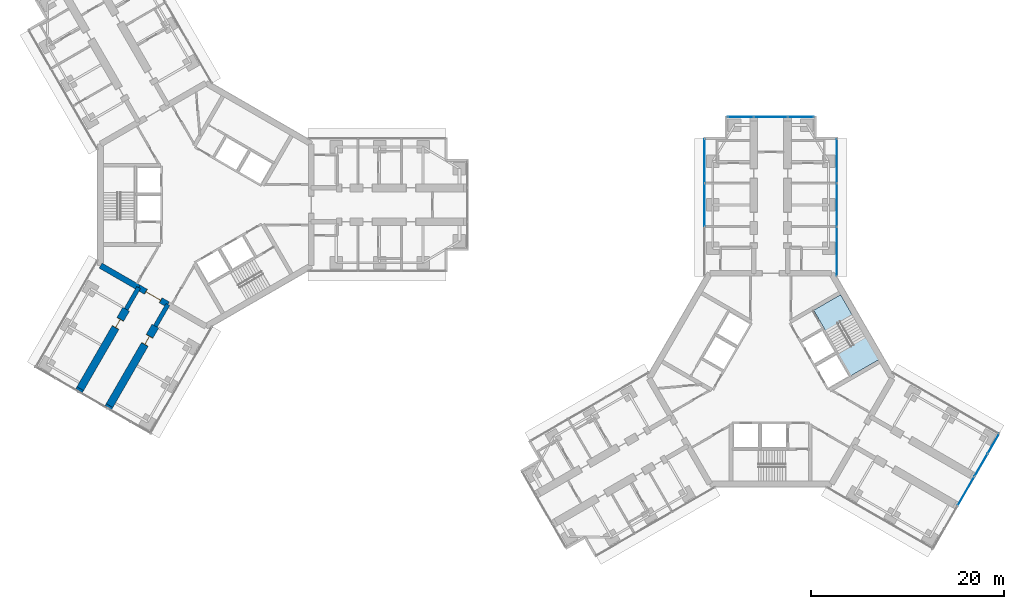
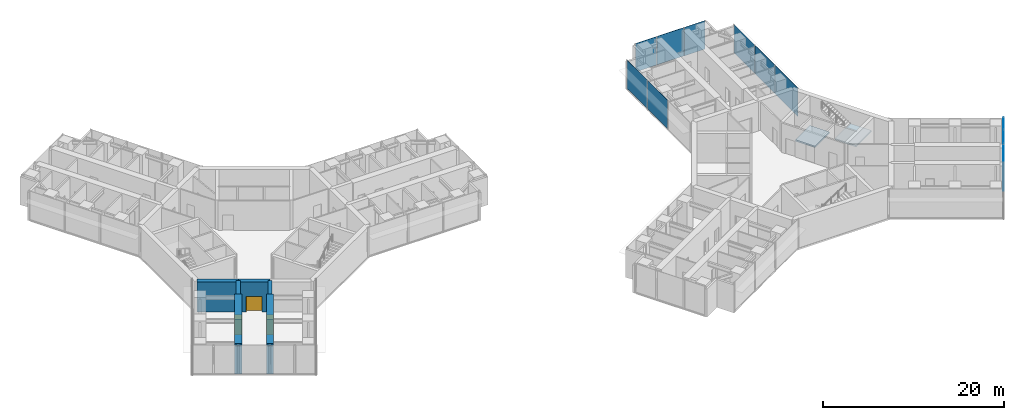
# One storey, part 14 of 22: 11 plates, 8 walls, 3 doors, 2 slabs, 3 openings, 5 elements without a shape of their own.
"""IFC4 building model written with IfcOpenShell, lengths in metres."""

from ifc_helpers import new_model, si_unit, direction, frame, frame_2d, origin, origin_2d, place, context, subcontext, project, spatial, polyline, rectangle, outline, extrude, material, layer, layer_set, type_object, element, fill, aggregate, save


model = new_model("IFC4")

# Units and contexts
model_context = context("Model", 3, precision=1e-05, world=origin(), true_north=direction((0.0, 1.0)))
body_context = subcontext(model_context, "Body", "Model", "MODEL_VIEW")
ifc_project = project(units=[si_unit("LENGTHUNIT", "METRE"), si_unit("AREAUNIT", "SQUARE_METRE"), si_unit("VOLUMEUNIT", "CUBIC_METRE"), si_unit("PLANEANGLEUNIT", "RADIAN"), si_unit("MASSUNIT", "GRAM", prefix="KILO")], contexts=[model_context])

# Site, building, storey
site_placement = place(None, origin())
site = spatial("IfcSite", under=ifc_project, at=site_placement, CompositionType="ELEMENT")
building_placement = place(site_placement, origin())
building = spatial("IfcBuilding", under=site, at=building_placement, Name="Upepo Twin Towers", CompositionType="ELEMENT")
storey_placement = place(building_placement, frame((0.0, 0.0, 141.5)))
storey = spatial("IfcBuildingStorey", under=building, at=storey_placement, Name="L34", CompositionType="ELEMENT", Elevation=141.5)

# Curtain wall, plates
ifc_material_1 = material(Name="Aluminium and fritted glass", Category="aluminium")
curtain_wall_type = type_object("IfcCurtainWallType", Name="Tower curtain wall TW2, fritted glass", PredefinedType="NOTDEFINED", material=ifc_material_1)
curtain_wall_1_placement = place(storey_placement, origin())
curtain_wall_1 = element("IfcCurtainWall", 1, at=curtain_wall_1_placement, inside=storey, type_object=curtain_wall_type, Name="T2 L34 wing A flank L curtain wall", PredefinedType="NOTDEFINED")
ifc_material_2 = material(Name="Ceramic-fritted laminated glass", Category="glass")
ifc_layer_1 = layer(ifc_material_2, 0.031982421875)
ifc_layer_set_1 = layer_set([ifc_layer_1], Name="Fritted glass panel, 40 per cent dot frit, 32 mm double glazed")
plate_type_1 = type_object("IfcPlateType", Name="Fritted glass panel, 40 per cent dot frit, 32 mm double glazed", PredefinedType="CURTAIN_PANEL", material=ifc_layer_set_1)
plate_1_placement = place(storey_placement, frame((51.64990234375, 0.0, 0.14990234375), z_axis=(0.0, 0.0, 1.0), x_axis=(0.0, 1.0, 0.0)))
plate_1 = element("IfcPlate", 2, at=plate_1_placement, type_object=plate_type_1, Name="T2 L34 wing A flank L curtain wall panel 2", PredefinedType="CURTAIN_PANEL", context=body_context, shape_type="SweptSolid", body=[
    extrude(rectangle(XDim=4.43505859375, YDim=0.031982421875, at=origin_2d()), origin(), (0.0, 0.0, 1.0), 3.85009765625),
])
plate_2_placement = place(storey_placement, frame((51.64990234375, 4.53369140625, 0.14990234375), z_axis=(0.0, 0.0, 1.0), x_axis=(0.0, 1.0, 0.0)))
plate_2 = element("IfcPlate", 3, at=plate_2_placement, type_object=plate_type_1, Name="T2 L34 wing A flank L curtain wall panel 3", PredefinedType="CURTAIN_PANEL", context=body_context, shape_type="SweptSolid", body=[
    extrude(rectangle(XDim=4.50244140625, YDim=0.031982421875, at=origin_2d()), origin(), (0.0, 0.0, 1.0), 3.85009765625),
])
aggregate(curtain_wall_1, [plate_1, plate_2])

curtain_wall_2_placement = place(storey_placement, origin())
curtain_wall_2 = element("IfcCurtainWall", 4, at=curtain_wall_2_placement, inside=storey, type_object=curtain_wall_type, Name="T2 L34 wing A flank R curtain wall", PredefinedType="NOTDEFINED")
plate_3_placement = place(storey_placement, frame((65.35009765625, 4.53369140625, 0.14990234375), z_axis=(0.0, 0.0, 1.0), x_axis=(0.0, -1.0, 0.0)))
plate_3 = element("IfcPlate", 5, at=plate_3_placement, type_object=plate_type_1, Name="T2 L34 wing A flank R curtain wall panel 1", PredefinedType="CURTAIN_PANEL", context=body_context, shape_type="SweptSolid", body=[
    extrude(rectangle(XDim=4.50244140625, YDim=0.031982421875, at=origin_2d()), origin(), (0.0, 0.0, 1.0), 3.85009765625),
])
plate_4_placement = place(storey_placement, frame((65.35009765625, 0.0, 0.14990234375), z_axis=(0.0, 0.0, 1.0), x_axis=(0.0, -1.0, 0.0)))
plate_4 = element("IfcPlate", 6, at=plate_4_placement, type_object=plate_type_1, Name="T2 L34 wing A flank R curtain wall panel 2", PredefinedType="CURTAIN_PANEL", context=body_context, shape_type="SweptSolid", body=[
    extrude(rectangle(XDim=4.43505859375, YDim=0.031982421875, at=origin_2d()), origin(), (0.0, 0.0, 1.0), 3.85009765625),
])
plate_5_placement = place(storey_placement, frame((65.35009765625, -4.815185546875, 0.14990234375), z_axis=(0.0, 0.0, 1.0), x_axis=(0.0, -1.0, 0.0)))
plate_5 = element("IfcPlate", 7, at=plate_5_placement, type_object=plate_type_1, Name="T2 L34 wing A flank R curtain wall panel 3", PredefinedType="CURTAIN_PANEL", context=body_context, shape_type="SweptSolid", body=[
    extrude(rectangle(XDim=5.0654296875, YDim=0.031982421875, at=origin_2d()), origin(), (0.0, 0.0, 1.0), 3.85009765625),
])
aggregate(curtain_wall_2, [plate_3, plate_4, plate_5])

# Curtain wall, plate
curtain_wall_3_placement = place(storey_placement, origin())
curtain_wall_3 = element("IfcCurtainWall", 8, at=curtain_wall_3_placement, inside=storey, type_object=curtain_wall_type, Name="T2 L34 wing A nose curtain wall", PredefinedType="NOTDEFINED")
plate_6_placement = place(storey_placement, frame((58.5, 9.10009765625, 0.14990234375), z_axis=(0.0, 0.0, 1.0), x_axis=(-1.0, 0.0, 0.0)))
plate_6 = element("IfcPlate", 9, at=plate_6_placement, type_object=plate_type_1, Name="T2 L34 wing A nose curtain wall panel 2", PredefinedType="CURTAIN_PANEL", context=body_context, shape_type="SweptSolid", body=[
    extrude(rectangle(XDim=3.43505859375, YDim=0.031982421875, at=origin_2d()), origin(), (0.0, 0.0, 1.0), 3.85009765625),
])

# Curtain wall, plates
curtain_wall_4_placement = place(storey_placement, origin())
curtain_wall_4 = element("IfcCurtainWall", 10, at=curtain_wall_4_placement, inside=storey, type_object=curtain_wall_type, Name="T2 L34 wing C nose curtain wall", PredefinedType="NOTDEFINED")
plate_7_placement = place(storey_placement, frame((78.7216796875, -29.675048828125, 0.14990234375), z_axis=(0.0, 0.0, 1.0), x_axis=(0.499999972355, 0.866025419745, 0.0)))
plate_7 = element("IfcPlate", 11, at=plate_7_placement, type_object=plate_type_1, Name="T2 L34 wing C nose curtain wall panel 3", PredefinedType="CURTAIN_PANEL", context=body_context, shape_type="SweptSolid", body=[
    extrude(rectangle(XDim=3.43505859375, YDim=0.031982421875, at=origin_2d()), origin(), (0.0, 0.0, 1.0), 3.85009765625),
])
plate_8_placement = place(storey_placement, frame((80.2841796875, -26.96875, 0.14990234375), z_axis=(0.0, 0.0, 1.0), x_axis=(0.499999972355, 0.866025419745, 0.0)))
plate_8 = element("IfcPlate", 12, at=plate_8_placement, type_object=plate_type_1, Name="T2 L34 wing C nose curtain wall panel 4", PredefinedType="CURTAIN_PANEL", context=body_context, shape_type="SweptSolid", body=[
    extrude(rectangle(XDim=2.68505859375, YDim=0.031982421875, at=origin_2d()), origin(), (0.0, 0.0, 1.0), 3.85009765625),
])

# Plate
ifc_material_3 = material(Name="Clear laminated glass in opening sash", Category="glass")
ifc_layer_2 = layer(ifc_material_3, 0.031982421875)
ifc_layer_set_2 = layer_set([ifc_layer_2], Name="Operable glass panel, 32 mm double glazed")
plate_type_2 = type_object("IfcPlateType", Name="Operable glass panel, 32 mm double glazed", PredefinedType="CURTAIN_PANEL", material=ifc_layer_set_2)
plate_9_placement = place(storey_placement, frame((61.608642578125, 9.10009765625, 0.14990234375), z_axis=(0.0, 0.0, 1.0), x_axis=(-1.0, 0.0, 0.0)))
plate_9 = element("IfcPlate", 13, at=plate_9_placement, type_object=plate_type_2, Name="T2 L34 wing A nose curtain wall panel 1", PredefinedType="CURTAIN_PANEL", context=body_context, shape_type="SweptSolid", body=[
    extrude(rectangle(XDim=2.652587890625, YDim=0.031982421875, at=origin_2d()), origin(), (0.0, 0.0, 1.0), 3.85009765625),
])

plate_10_placement = place(storey_placement, frame((55.391357421875, 9.10009765625, 0.14990234375), z_axis=(0.0, 0.0, 1.0), x_axis=(-1.0, 0.0, 0.0)))
plate_10 = element("IfcPlate", 14, at=plate_10_placement, type_object=plate_type_2, Name="T2 L34 wing A nose curtain wall panel 3", PredefinedType="CURTAIN_PANEL", context=body_context, shape_type="SweptSolid", body=[
    extrude(rectangle(XDim=2.652587890625, YDim=0.031982421875, at=origin_2d()), origin(), (0.0, 0.0, 1.0), 3.85009765625),
])

aggregate(curtain_wall_3, [plate_9, plate_6, plate_10])

plate_11_placement = place(storey_placement, frame((81.576171875, -24.73095703125, 0.14990234375), z_axis=(0.0, 0.0, 1.0), x_axis=(0.499999972355, 0.866025419745, 0.0)))
plate_11 = element("IfcPlate", 15, at=plate_11_placement, type_object=plate_type_2, Name="T2 L34 wing C nose curtain wall panel 5", PredefinedType="CURTAIN_PANEL", context=body_context, shape_type="SweptSolid", body=[
    extrude(rectangle(XDim=2.3525390625, YDim=0.031982421875, at=origin_2d()), origin(), (0.0, 0.0, 1.0), 3.85009765625),
])

aggregate(curtain_wall_4, [plate_7, plate_8, plate_11])

# Stair, slabs
ifc_material_4 = material(Name="Concrete C40/50", Category="concrete")
stair_type = type_object("IfcStairType", Name="Core stair, two flights", PredefinedType="HALF_TURN_STAIR", material=ifc_material_4)
stair_placement = place(storey_placement, origin())
stair = element("IfcStair", 16, at=stair_placement, inside=storey, type_object=stair_type, Name="T2 stair S2 L34", PredefinedType="HALF_TURN_STAIR")
ifc_material_5 = material(Name="Concrete C40/50", Category="concrete")
ifc_layer_3 = layer(ifc_material_5, 0.199951171875)
ifc_layer_set_3 = layer_set([ifc_layer_3], Name="Concrete C40/50")
slab_type = type_object("IfcSlabType", Name="Stair landing 200 RC", PredefinedType="LANDING", material=ifc_layer_set_3)
slab_1_placement = place(storey_placement, frame((0.0, 0.0, -0.199951171875)))
slab_1 = element("IfcSlab", 17, at=slab_1_placement, type_object=slab_type, Name="Stair S2 landing 1", PredefinedType="LANDING", context=body_context, shape_type="SweptSolid", body=[
    extrude(outline(polyline([(64.198486328125, -13.0703125), (66.97705078125, -11.466064453125), (65.737060546875, -9.318359375), (62.95849609375, -10.922607421875), (64.198486328125, -13.0703125)])), origin(), (0.0, 0.0, 1.0), 0.199951171875),
])
slab_2_placement = place(storey_placement, frame((0.0, 0.0, 1.800048828125)))
slab_2 = element("IfcSlab", 18, at=slab_2_placement, type_object=slab_type, Name="Stair S2 landing 2", PredefinedType="LANDING", context=body_context, shape_type="SweptSolid", body=[
    extrude(outline(polyline([(66.77197265625, -17.7275390625), (69.7236328125, -16.0234375), (68.36376953125, -13.667724609375), (65.411865234375, -15.371826171875), (66.77197265625, -17.7275390625)])), origin(), (0.0, 0.0, 1.0), 0.199951171875),
])
aggregate(stair, [slab_1, slab_2])

# Walls
ifc_material_6 = material(Name="Dense concrete blockwork", Category="masonry")
ifc_layer_4 = layer(ifc_material_6, 0.800048828125)
ifc_layer_set_4 = layer_set([ifc_layer_4], Name="Buttress closer 800, blockwork with fire-stopping to the curtain wall")
wall_type_1 = type_object("IfcWallType", Name="Buttress closer 800, blockwork with fire-stopping to the curtain wall", PredefinedType="PARTITIONING", material=ifc_layer_set_4)
for number, where, z_axis, x_axis, name in (
    (19, (-9.984375, -20.793701171875, 0.0), (0.0, 0.0, 1.0), (-0.500342721131, -0.865827443207, 0.0), "T1 L34 wing C buttress closer L"),
    (20, (-13.015625, -19.043701171875, 0.0), (0.0, 0.0, 1.0), (-0.500342721131, -0.865827443207, 0.0), "T1 L34 wing C buttress closer R"),
):
    element("IfcWall", number, at=place(storey_placement, frame(where, z_axis=z_axis, x_axis=x_axis)), inside=storey, type_object=wall_type_1, Name=name, PredefinedType="PARTITIONING", context=body_context, shape_type="SweptSolid", body=[
        extrude(rectangle(XDim=0.249755859375, YDim=0.800048828125, at=frame_2d((0.125, 0.0))), origin(), (0.0, 0.0, 1.0), 3.800048828125),
    ])
ifc_material_7 = material(Name="Concrete C60/75", Category="concrete")
ifc_layer_5 = layer(ifc_material_7, 0.449951171875)
ifc_layer_set_5 = layer_set([ifc_layer_5], Name="Concrete C60/75")
wall_type_2 = type_object("IfcWallType", Name="Buttress wall 450 RC", PredefinedType="SHEAR", material=ifc_layer_set_5)
for number, where, z_axis, x_axis, name in (
    (21, (-3.938720703125, -10.32177734375, 0.0), (0.0, 0.0, 1.0), (-0.499918158782, -0.866072649678, 0.0), "T1 wing C buttress wall L"),
    (22, (-6.9697265625, -8.57177734375, 0.0), (0.0, 0.0, 1.0), (-0.499988811324, -0.866031863473, 0.0), "T1 wing C buttress wall R"),
):
    element("IfcWall", number, at=place(storey_placement, frame(where, z_axis=z_axis, x_axis=x_axis)), inside=storey, type_object=wall_type_2, Name=name, PredefinedType="SHEAR", context=body_context, shape_type="SweptSolid", body=[
        extrude(rectangle(XDim=2.591796875, YDim=0.449951171875, at=frame_2d((1.2958984375, 0.0))), origin(), (0.0, 0.0, 1.0), 4.0),
    ])

# Wall, opening, door
ifc_material_8 = material(Name="Concrete C60/75", Category="concrete")
ifc_layer_6 = layer(ifc_material_8, 0.800048828125)
ifc_layer_set_6 = layer_set([ifc_layer_6], Name="Concrete C60/75")
wall_type_3 = type_object("IfcWallType", Name="Buttress wall 800 RC", PredefinedType="SHEAR", material=ifc_layer_set_6)
wall_1_placement = place(storey_placement, frame((-5.234375, -12.56640625, 0.0), z_axis=(0.0, 0.0, 1.0), x_axis=(-0.499997557548, -0.86602681393, 0.0)))
wall_1 = element("IfcWall", 23, at=wall_1_placement, inside=storey, type_object=wall_type_3, Name="T1 wing C buttress wall L part 2", PredefinedType="SHEAR", context=body_context, shape_type="SweptSolid", body=[
    extrude(rectangle(XDim=9.5, YDim=0.800048828125, at=frame_2d((4.75, 0.0))), origin(), (0.0, 0.0, 1.0), 4.0),
])
opening_1_placement = place(wall_1_placement, frame((1.199951171875, 0.0, 0.0)))
opening_1 = element("IfcOpeningElement", 24, at=opening_1_placement, cuts=wall_1, Name="Opening D1", PredefinedType="OPENING", context=body_context, shape_type="SweptSolid", body=[
    extrude(rectangle(XDim=1.0, YDim=2.10009765625, at=frame_2d((0.5, 1.050048828125))), frame((0.0, 0.409912109375, 0.0), z_axis=(0.0, -1.0, 0.0), x_axis=(1.0, 0.0, 0.0)), (0.0, 0.0, 1.0), 0.820068359375),
])
ifc_material_9 = material(Name="Timber doorset", Category="wood")
door_type_1 = type_object("IfcDoorType", Name="Room door 1000 FD30", OperationType="SINGLE_SWING_LEFT", PredefinedType="DOOR", material=ifc_material_9)
door_1_placement = place(opening_1_placement, origin())
door_1 = element("IfcDoor", 25, at=door_1_placement, inside=storey, type_object=door_type_1, Name="T1 L34 postgraduate office door", OperationType="SINGLE_SWING_LEFT", OverallHeight=2.10009765625, OverallWidth=1.0, PredefinedType="DOOR", context=body_context, shape_type="SweptSolid", body=[
    extrude(rectangle(XDim=0.92, YDim=2.06009765625, at=frame_2d((0.5, 1.030029296875))), frame((0.0, 0.02490234375, 0.0), z_axis=(0.0, -1.0, 0.0), x_axis=(1.0, 0.0, 0.0)), (0.0, 0.0, 1.0), 0.050048828125),
    extrude(rectangle(XDim=0.04, YDim=2.10009765625, at=frame_2d((0.02001953125, 1.050048828125))), frame((0.0, 0.39990234375, 0.0), z_axis=(0.0, -1.0, 0.0), x_axis=(1.0, 0.0, 0.0)), (0.0, 0.0, 1.0), 0.799560546875),
    extrude(rectangle(XDim=0.04, YDim=2.10009765625, at=frame_2d((0.97998046875, 1.050048828125))), frame((0.0, 0.39990234375, 0.0), z_axis=(0.0, -1.0, 0.0), x_axis=(1.0, 0.0, 0.0)), (0.0, 0.0, 1.0), 0.799560546875),
    extrude(rectangle(XDim=0.92, YDim=0.04, at=frame_2d((0.5, 2.080078125))), frame((0.0, 0.39990234375, 0.0), z_axis=(0.0, -1.0, 0.0), x_axis=(1.0, 0.0, 0.0)), (0.0, 0.0, 1.0), 0.799560546875),
])
fill(opening_1, door_1)

wall_2_placement = place(storey_placement, frame((-8.265625, -10.81640625, 0.0), z_axis=(0.0, 0.0, 1.0), x_axis=(-0.499997557548, -0.86602681393, 0.0)))
wall_2 = element("IfcWall", 26, at=wall_2_placement, inside=storey, type_object=wall_type_3, Name="T1 wing C buttress wall R part 2", PredefinedType="SHEAR", context=body_context, shape_type="SweptSolid", body=[
    extrude(rectangle(XDim=9.5, YDim=0.800048828125, at=frame_2d((4.75, 0.0))), origin(), (0.0, 0.0, 1.0), 4.0),
])
opening_2_placement = place(wall_2_placement, frame((1.199951171875, 0.0, 0.0)))
opening_2 = element("IfcOpeningElement", 27, at=opening_2_placement, cuts=wall_2, Name="Opening D1", PredefinedType="OPENING", context=body_context, shape_type="SweptSolid", body=[
    extrude(rectangle(XDim=1.0, YDim=2.10009765625, at=frame_2d((0.5, 1.050048828125))), frame((0.0, 0.409912109375, 0.0), z_axis=(0.0, -1.0, 0.0), x_axis=(1.0, 0.0, 0.0)), (0.0, 0.0, 1.0), 0.820068359375),
])
door_2_placement = place(opening_2_placement, origin())
door_2 = element("IfcDoor", 28, at=door_2_placement, inside=storey, type_object=door_type_1, Name="T1 L34 postgraduate office door", OperationType="SINGLE_SWING_LEFT", OverallHeight=2.10009765625, OverallWidth=1.0, PredefinedType="DOOR", context=body_context, shape_type="SweptSolid", body=[
    extrude(rectangle(XDim=0.92, YDim=2.06009765625, at=frame_2d((0.5, 1.030029296875))), frame((0.0, 0.02490234375, 0.0), z_axis=(0.0, -1.0, 0.0), x_axis=(1.0, 0.0, 0.0)), (0.0, 0.0, 1.0), 0.050048828125),
    extrude(rectangle(XDim=0.04, YDim=2.10009765625, at=frame_2d((0.02001953125, 1.050048828125))), frame((0.0, 0.39990234375, 0.0), z_axis=(0.0, -1.0, 0.0), x_axis=(1.0, 0.0, 0.0)), (0.0, 0.0, 1.0), 0.799560546875),
    extrude(rectangle(XDim=0.04, YDim=2.10009765625, at=frame_2d((0.97998046875, 1.050048828125))), frame((0.0, 0.39990234375, 0.0), z_axis=(0.0, -1.0, 0.0), x_axis=(1.0, 0.0, 0.0)), (0.0, 0.0, 1.0), 0.799560546875),
    extrude(rectangle(XDim=0.92, YDim=0.04, at=frame_2d((0.5, 2.080078125))), frame((0.0, 0.39990234375, 0.0), z_axis=(0.0, -1.0, 0.0), x_axis=(1.0, 0.0, 0.0)), (0.0, 0.0, 1.0), 0.799560546875),
])
fill(opening_2, door_2)

# Wall
ifc_material_10 = material(Name="Concrete C60/75", Category="concrete")
ifc_layer_7 = layer(ifc_material_10, 0.60009765625)
ifc_layer_set_7 = layer_set([ifc_layer_7], Name="Concrete C60/75")
wall_type_4 = type_object("IfcWallType", Name="Core wall 600 RC", PredefinedType="SHEAR", material=ifc_layer_set_7)
wall_3_placement = place(storey_placement, frame((-10.908447265625, -6.2978515625, 0.0), z_axis=(0.0, 0.0, 1.0), x_axis=(0.866034513004, -0.499984222037, 0.0)))
element("IfcWall", 29, at=wall_3_placement, inside=storey, type_object=wall_type_4, Name="T1 core wall 240 R", PredefinedType="SHEAR", context=body_context, shape_type="SweptSolid", body=[
    extrude(rectangle(XDim=4.548095703125, YDim=0.60009765625, at=frame_2d((2.27392578125, 0.0))), origin(), (0.0, 0.0, 1.0), 4.0),
])

# Wall, opening, door
wall_4_placement = place(storey_placement, frame((-6.9697265625, -8.57177734375, 0.0), z_axis=(0.0, 0.0, 1.0), x_axis=(0.866019471182, -0.500010275428, 0.0)))
wall_4 = element("IfcWall", 30, at=wall_4_placement, inside=storey, type_object=wall_type_4, Name="T1 core wall 240", PredefinedType="SHEAR", context=body_context, shape_type="SweptSolid", body=[
    extrude(rectangle(XDim=3.5, YDim=0.60009765625, at=frame_2d((1.75, 0.0))), origin(), (0.0, 0.0, 1.0), 4.0),
])
opening_3_placement = place(wall_4_placement, frame((0.85009765625, 0.0, 0.0)))
opening_3 = element("IfcOpeningElement", 31, at=opening_3_placement, cuts=wall_4, Name="Opening D2", PredefinedType="OPENING", context=body_context, shape_type="SweptSolid", body=[
    extrude(rectangle(XDim=1.800048828125, YDim=2.10009765625, at=frame_2d((0.89990234375, 1.050048828125))), frame((0.0, 0.31005859375, 0.0), z_axis=(0.0, -1.0, 0.0), x_axis=(1.0, 0.0, 0.0)), (0.0, 0.0, 1.0), 0.6201171875),
])
ifc_material_11 = material(Name="Timber doorset", Category="wood")
door_type_2 = type_object("IfcDoorType", Name="Corridor double door 1800 FD60", OperationType="DOUBLE_DOOR_DOUBLE_SWING", PredefinedType="DOOR", material=ifc_material_11)
door_3_placement = place(opening_3_placement, origin())
door_3 = element("IfcDoor", 32, at=door_3_placement, inside=storey, type_object=door_type_2, Name="T1 L34 wing C corridor door", OperationType="DOUBLE_DOOR_DOUBLE_SWING", OverallHeight=2.10009765625, OverallWidth=1.800048828125, PredefinedType="DOOR", context=body_context, shape_type="SweptSolid", body=[
    extrude(rectangle(XDim=1.720048828125, YDim=2.06009765625, at=frame_2d((0.89990234375, 1.030029296875))), frame((0.0, 0.02490234375, 0.0), z_axis=(0.0, -1.0, 0.0), x_axis=(1.0, 0.0, 0.0)), (0.0, 0.0, 1.0), 0.050048828125),
    extrude(rectangle(XDim=0.04, YDim=2.10009765625, at=frame_2d((0.02001953125, 1.050048828125))), frame((0.0, 0.2998046875, 0.0), z_axis=(0.0, -1.0, 0.0), x_axis=(1.0, 0.0, 0.0)), (0.0, 0.0, 1.0), 0.599609375),
    extrude(rectangle(XDim=0.04, YDim=2.10009765625, at=frame_2d((1.780029296875, 1.050048828125))), frame((0.0, 0.2998046875, 0.0), z_axis=(0.0, -1.0, 0.0), x_axis=(1.0, 0.0, 0.0)), (0.0, 0.0, 1.0), 0.599609375),
    extrude(rectangle(XDim=1.720048828125, YDim=0.04, at=frame_2d((0.89990234375, 2.080078125))), frame((0.0, 0.2998046875, 0.0), z_axis=(0.0, -1.0, 0.0), x_axis=(1.0, 0.0, 0.0)), (0.0, 0.0, 1.0), 0.599609375),
])
fill(opening_3, door_3)

save(model, "model.ifc")
